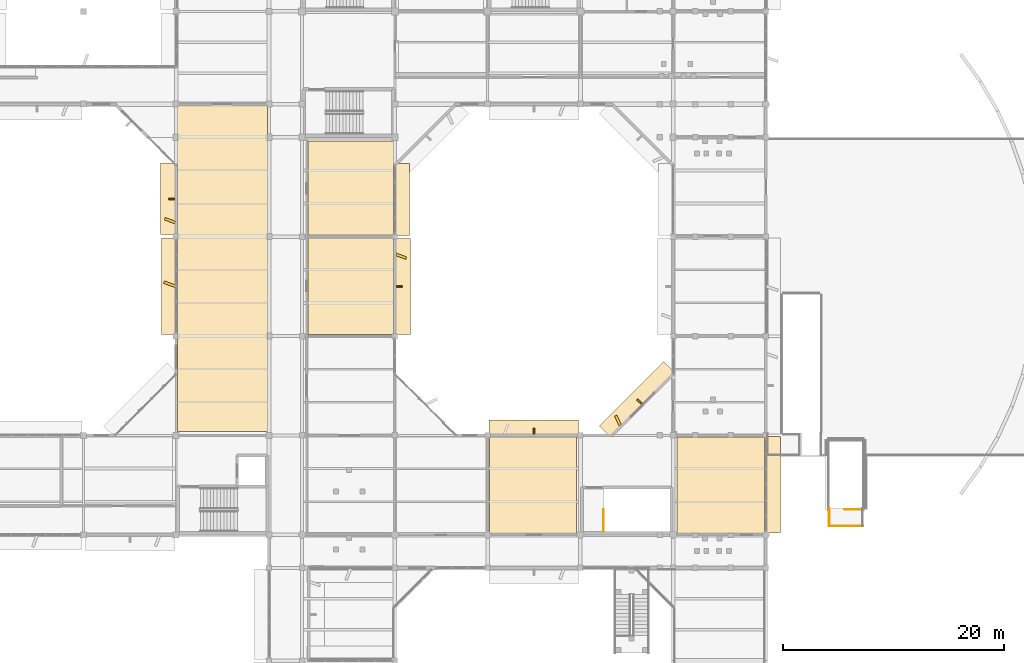
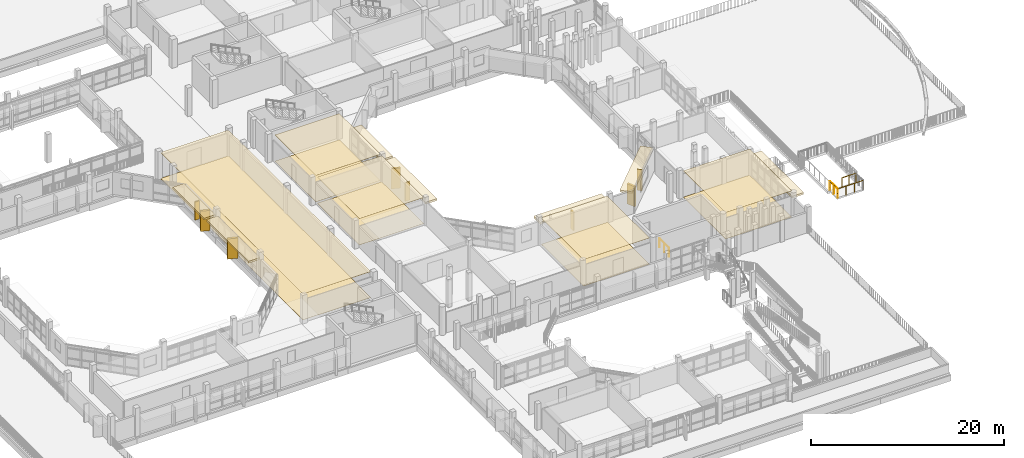
# One storey, part 77 of 92: 21 coverings, 4 railings, 4 shading devices.
"""IFC4 building model written with IfcOpenShell, lengths in metres."""

from ifc_helpers import new_model, si_unit, direction, frame, origin, origin_2d, place, context, subcontext, project, spatial, polyline, rectangle, circle, outline, extrude, material, layer, layer_set, type_object, element, save


model = new_model("IFC4")

# Units and contexts
model_context = context("Model", 3, precision=1e-05, world=origin(), true_north=direction((0.0, 1.0)))
body_context = subcontext(model_context, "Body", "Model", "MODEL_VIEW")
ifc_project = project(units=[si_unit("LENGTHUNIT", "METRE"), si_unit("AREAUNIT", "SQUARE_METRE"), si_unit("VOLUMEUNIT", "CUBIC_METRE"), si_unit("PLANEANGLEUNIT", "RADIAN"), si_unit("MASSUNIT", "GRAM", prefix="KILO")], contexts=[model_context])

# Site, building, storey
site_placement = place(None, origin())
site = spatial("IfcSite", under=ifc_project, at=site_placement, CompositionType="ELEMENT")
building_placement = place(site_placement, origin())
building = spatial("IfcBuilding", under=site, at=building_placement, Name="Vanh Quang Courtyard School", CompositionType="ELEMENT")
storey_placement = place(building_placement, frame((0.0, 0.0, 7.800048828125)))
storey = spatial("IfcBuildingStorey", under=building, at=storey_placement, Name="L02", CompositionType="ELEMENT", Elevation=7.800048828125)

# Coverings
ifc_material_1 = material(Name="Perforated mineral-fibre acoustic ceiling board")
ifc_layer_1 = layer(ifc_material_1, 0.02490234375)
ifc_layer_set_1 = layer_set([ifc_layer_1], Name="Perforated mineral-fibre acoustic ceiling board")
covering_type_1 = type_object("IfcCoveringType", Name="COV-CEIL-ACOUSTIC", PredefinedType="CEILING", material=ifc_layer_set_1)
covering_1_placement = place(storey_placement, frame((0.0, 0.0, 3.27490234375)))
element("IfcCovering", 1, at=covering_1_placement, inside=storey, type_object=covering_type_1, Name="Covering CV-CL1 (L02)", PredefinedType="CEILING", context=body_context, shape_type="SweptSolid", body=[
    extrude(outline(polyline([(66.1298828125, 71.260009765625), (66.1298828125, 71.260986328125), (66.130126953125, 71.261962890625), (66.13037109375, 71.262939453125), (66.130859375, 71.263916015625), (66.131103515625, 71.2646484375), (66.131591796875, 71.265625), (66.13232421875, 71.266357421875), (66.1328125, 71.26708984375), (66.1337890625, 71.267578125), (66.134521484375, 71.268310546875), (66.13525390625, 71.268798828125), (66.13623046875, 71.269287109375), (66.13720703125, 71.26953125), (66.137939453125, 71.269775390625), (66.138916015625, 71.27001953125), (66.139892578125, 71.27001953125), (74.239990234375, 71.27001953125), (74.240966796875, 71.27001953125), (74.241943359375, 71.269775390625), (74.242919921875, 71.26953125), (74.243896484375, 71.269287109375), (74.24462890625, 71.268798828125), (74.24560546875, 71.268310546875), (74.246337890625, 71.267578125), (74.2470703125, 71.26708984375), (74.247802734375, 71.266357421875), (74.248291015625, 71.265625), (74.248779296875, 71.2646484375), (74.249267578125, 71.263916015625), (74.24951171875, 71.262939453125), (74.249755859375, 71.261962890625), (74.25, 71.260986328125), (74.25, 71.260009765625), (74.25, 41.75), (66.1298828125, 41.75), (66.1298828125, 71.260009765625)])), origin(), (0.0, 0.0, 1.0), 0.025146484375),
])
covering_2_placement = place(storey_placement, frame((0.0, 0.0, 3.31494140625)))
element("IfcCovering", 2, at=covering_2_placement, inside=storey, type_object=covering_type_1, Name="Covering CV-CL1 (L02)", PredefinedType="CEILING", context=body_context, shape_type="SweptSolid", body=[
    extrude(outline(polyline([(77.9599609375, 50.550048828125), (77.958984375, 50.550048828125), (77.9580078125, 50.55029296875), (77.95703125, 50.55029296875), (77.956298828125, 50.55078125), (77.955322265625, 50.55126953125), (77.954345703125, 50.5517578125), (77.95361328125, 50.55224609375), (77.952880859375, 50.552978515625), (77.952392578125, 50.5537109375), (77.95166015625, 50.554443359375), (77.951171875, 50.555419921875), (77.95068359375, 50.55615234375), (77.950439453125, 50.55712890625), (77.9501953125, 50.55810546875), (77.949951171875, 50.55908203125), (77.949951171875, 50.56005859375), (77.949951171875, 59.260009765625), (77.949951171875, 59.260986328125), (77.9501953125, 59.261962890625), (77.950439453125, 59.262939453125), (77.95068359375, 59.263916015625), (77.951171875, 59.2646484375), (77.95166015625, 59.265625), (77.952392578125, 59.266357421875), (77.952880859375, 59.26708984375), (77.95361328125, 59.267578125), (77.954345703125, 59.268310546875), (77.955322265625, 59.268798828125), (77.956298828125, 59.269287109375), (77.95703125, 59.26953125), (77.9580078125, 59.269775390625), (77.958984375, 59.27001953125), (77.9599609375, 59.27001953125), (85.659912109375, 59.27001953125), (85.660888671875, 59.27001953125), (85.662109375, 59.269775390625), (85.662841796875, 59.26953125), (85.663818359375, 59.269287109375), (85.664794921875, 59.268798828125), (85.66552734375, 59.268310546875), (85.666259765625, 59.267578125), (85.6669921875, 59.26708984375), (85.667724609375, 59.266357421875), (85.668212890625, 59.265625), (85.668701171875, 59.2646484375), (85.669189453125, 59.263916015625), (85.669677734375, 59.262939453125), (85.669921875, 59.261962890625), (85.669921875, 59.260986328125), (85.669921875, 59.260009765625), (85.669921875, 50.56005859375), (85.669921875, 50.55908203125), (85.669921875, 50.55810546875), (85.669677734375, 50.55712890625), (85.669189453125, 50.55615234375), (85.668701171875, 50.555419921875), (85.668212890625, 50.554443359375), (85.667724609375, 50.5537109375), (85.6669921875, 50.552978515625), (85.666259765625, 50.55224609375), (85.66552734375, 50.5517578125), (85.664794921875, 50.55126953125), (85.663818359375, 50.55078125), (85.662841796875, 50.55029296875), (85.662109375, 50.55029296875), (85.660888671875, 50.550048828125), (85.659912109375, 50.550048828125), (77.9599609375, 50.550048828125)])), origin(), (0.0, 0.0, 1.0), 0.02490234375),
])
covering_3_placement = place(storey_placement, frame((0.0, 0.0, 3.31494140625)))
element("IfcCovering", 3, at=covering_3_placement, inside=storey, type_object=covering_type_1, Name="Covering CV-CL1 (L02)", PredefinedType="CEILING", context=body_context, shape_type="SweptSolid", body=[
    extrude(outline(polyline([(77.9599609375, 59.550048828125), (77.958984375, 59.550048828125), (77.9580078125, 59.55029296875), (77.95703125, 59.55029296875), (77.956298828125, 59.55078125), (77.955322265625, 59.55126953125), (77.954345703125, 59.5517578125), (77.95361328125, 59.55224609375), (77.952880859375, 59.552978515625), (77.952392578125, 59.5537109375), (77.95166015625, 59.554443359375), (77.951171875, 59.555419921875), (77.95068359375, 59.55615234375), (77.950439453125, 59.55712890625), (77.9501953125, 59.55810546875), (77.949951171875, 59.55908203125), (77.949951171875, 59.56005859375), (77.949951171875, 68.050048828125), (85.669921875, 68.050048828125), (85.669921875, 59.56005859375), (85.669921875, 59.55908203125), (85.669921875, 59.55810546875), (85.669677734375, 59.55712890625), (85.669189453125, 59.55615234375), (85.668701171875, 59.555419921875), (85.668212890625, 59.554443359375), (85.667724609375, 59.5537109375), (85.6669921875, 59.552978515625), (85.666259765625, 59.55224609375), (85.66552734375, 59.5517578125), (85.664794921875, 59.55126953125), (85.663818359375, 59.55078125), (85.662841796875, 59.55029296875), (85.662109375, 59.55029296875), (85.660888671875, 59.550048828125), (85.659912109375, 59.550048828125), (77.9599609375, 59.550048828125)])), origin(), (0.0, 0.0, 1.0), 0.02490234375),
])
covering_4_placement = place(storey_placement, frame((0.0, 0.0, 3.31494140625)))
element("IfcCovering", 4, at=covering_4_placement, inside=storey, type_object=covering_type_1, Name="Covering CV-CL1 (L02)", PredefinedType="CEILING", context=body_context, shape_type="SweptSolid", body=[
    extrude(outline(polyline([(94.360107421875, 32.530029296875), (94.35888671875, 32.530029296875), (94.35791015625, 32.5302734375), (94.357177734375, 32.530517578125), (94.356201171875, 32.53076171875), (94.355224609375, 32.53125), (94.3544921875, 32.53173828125), (94.353759765625, 32.5322265625), (94.352783203125, 32.532958984375), (94.352294921875, 32.53369140625), (94.351806640625, 32.534423828125), (94.351318359375, 32.535400390625), (94.350830078125, 32.5361328125), (94.350341796875, 32.537109375), (94.35009765625, 32.5380859375), (94.35009765625, 32.5390625), (94.35009765625, 32.5400390625), (94.35009765625, 41.260009765625), (94.35009765625, 41.260986328125), (94.35009765625, 41.261962890625), (94.350341796875, 41.262939453125), (94.350830078125, 41.263916015625), (94.351318359375, 41.2646484375), (94.351806640625, 41.265625), (94.352294921875, 41.266357421875), (94.352783203125, 41.26708984375), (94.353759765625, 41.267578125), (94.3544921875, 41.268310546875), (94.355224609375, 41.268798828125), (94.356201171875, 41.269287109375), (94.357177734375, 41.26953125), (94.35791015625, 41.269775390625), (94.35888671875, 41.27001953125), (94.360107421875, 41.27001953125), (102.25, 41.27001953125), (102.25, 32.530029296875), (94.360107421875, 32.530029296875)])), origin(), (0.0, 0.0, 1.0), 0.02490234375),
])
covering_5_placement = place(storey_placement, frame((0.0, 0.0, 3.31494140625)))
element("IfcCovering", 5, at=covering_5_placement, inside=storey, type_object=covering_type_1, Name="Covering CV-CL1 (L02)", PredefinedType="CEILING", context=body_context, shape_type="SweptSolid", body=[
    extrude(outline(polyline([(111.35009765625, 32.530029296875), (111.35009765625, 41.27001953125), (119.260009765625, 41.27001953125), (119.260986328125, 41.27001953125), (119.261962890625, 41.269775390625), (119.262939453125, 41.26953125), (119.263916015625, 41.269287109375), (119.2646484375, 41.268798828125), (119.265625, 41.268310546875), (119.266357421875, 41.267578125), (119.26708984375, 41.26708984375), (119.267578125, 41.266357421875), (119.268310546875, 41.265625), (119.268798828125, 41.2646484375), (119.269287109375, 41.263916015625), (119.26953125, 41.262939453125), (119.269775390625, 41.261962890625), (119.27001953125, 41.260986328125), (119.27001953125, 41.260009765625), (119.27001953125, 32.5400390625), (119.27001953125, 32.5390625), (119.269775390625, 32.5380859375), (119.26953125, 32.537109375), (119.269287109375, 32.5361328125), (119.268798828125, 32.535400390625), (119.268310546875, 32.534423828125), (119.267578125, 32.53369140625), (119.26708984375, 32.532958984375), (119.266357421875, 32.5322265625), (119.265625, 32.53173828125), (119.2646484375, 32.53125), (119.263916015625, 32.53076171875), (119.262939453125, 32.530517578125), (119.261962890625, 32.5302734375), (119.260986328125, 32.530029296875), (119.260009765625, 32.530029296875), (111.35009765625, 32.530029296875)])), origin(), (0.0, 0.0, 1.0), 0.02490234375),
])
ifc_material_2 = material(Name="Polished cementitious terrazzo tile", Category="concrete")
ifc_layer_2 = layer(ifc_material_2, 0.02001953125)
ifc_layer_set_2 = layer_set([ifc_layer_2], Name="Polished cementitious terrazzo tile")
covering_type_2 = type_object("IfcCoveringType", Name="COV-FLR-TERRAZZO", PredefinedType="FLOORING", material=ifc_layer_set_2)
covering_6_placement = place(storey_placement, origin())
element("IfcCovering", 6, at=covering_6_placement, inside=storey, type_object=covering_type_2, Name="Covering CV-FL1 (L02)", PredefinedType="FLOORING", context=body_context, shape_type="SweptSolid", body=[
    extrude(outline(polyline([(66.1298828125, 71.260009765625), (66.1298828125, 71.260986328125), (66.130126953125, 71.261962890625), (66.13037109375, 71.262939453125), (66.130859375, 71.263916015625), (66.131103515625, 71.2646484375), (66.131591796875, 71.265625), (66.13232421875, 71.266357421875), (66.1328125, 71.26708984375), (66.1337890625, 71.267578125), (66.134521484375, 71.268310546875), (66.13525390625, 71.268798828125), (66.13623046875, 71.269287109375), (66.13720703125, 71.26953125), (66.137939453125, 71.269775390625), (66.138916015625, 71.27001953125), (66.139892578125, 71.27001953125), (74.239990234375, 71.27001953125), (74.240966796875, 71.27001953125), (74.241943359375, 71.269775390625), (74.242919921875, 71.26953125), (74.243896484375, 71.269287109375), (74.24462890625, 71.268798828125), (74.24560546875, 71.268310546875), (74.246337890625, 71.267578125), (74.2470703125, 71.26708984375), (74.247802734375, 71.266357421875), (74.248291015625, 71.265625), (74.248779296875, 71.2646484375), (74.249267578125, 71.263916015625), (74.24951171875, 71.262939453125), (74.249755859375, 71.261962890625), (74.25, 71.260986328125), (74.25, 71.260009765625), (74.25, 41.75), (66.1298828125, 41.75), (66.1298828125, 71.260009765625)])), origin(), (0.0, 0.0, 1.0), 0.02001953125),
])
covering_7_placement = place(storey_placement, origin())
element("IfcCovering", 7, at=covering_7_placement, inside=storey, type_object=covering_type_2, Name="Covering CV-FL1 (L02)", PredefinedType="FLOORING", context=body_context, shape_type="SweptSolid", body=[
    extrude(outline(polyline([(77.9599609375, 50.550048828125), (77.958984375, 50.550048828125), (77.9580078125, 50.55029296875), (77.95703125, 50.55029296875), (77.956298828125, 50.55078125), (77.955322265625, 50.55126953125), (77.954345703125, 50.5517578125), (77.95361328125, 50.55224609375), (77.952880859375, 50.552978515625), (77.952392578125, 50.5537109375), (77.95166015625, 50.554443359375), (77.951171875, 50.555419921875), (77.95068359375, 50.55615234375), (77.950439453125, 50.55712890625), (77.9501953125, 50.55810546875), (77.949951171875, 50.55908203125), (77.949951171875, 50.56005859375), (77.949951171875, 59.260009765625), (77.949951171875, 59.260986328125), (77.9501953125, 59.261962890625), (77.950439453125, 59.262939453125), (77.95068359375, 59.263916015625), (77.951171875, 59.2646484375), (77.95166015625, 59.265625), (77.952392578125, 59.266357421875), (77.952880859375, 59.26708984375), (77.95361328125, 59.267578125), (77.954345703125, 59.268310546875), (77.955322265625, 59.268798828125), (77.956298828125, 59.269287109375), (77.95703125, 59.26953125), (77.9580078125, 59.269775390625), (77.958984375, 59.27001953125), (77.9599609375, 59.27001953125), (85.659912109375, 59.27001953125), (85.660888671875, 59.27001953125), (85.662109375, 59.269775390625), (85.662841796875, 59.26953125), (85.663818359375, 59.269287109375), (85.664794921875, 59.268798828125), (85.66552734375, 59.268310546875), (85.666259765625, 59.267578125), (85.6669921875, 59.26708984375), (85.667724609375, 59.266357421875), (85.668212890625, 59.265625), (85.668701171875, 59.2646484375), (85.669189453125, 59.263916015625), (85.669677734375, 59.262939453125), (85.669921875, 59.261962890625), (85.669921875, 59.260986328125), (85.669921875, 59.260009765625), (85.669921875, 50.56005859375), (85.669921875, 50.55908203125), (85.669921875, 50.55810546875), (85.669677734375, 50.55712890625), (85.669189453125, 50.55615234375), (85.668701171875, 50.555419921875), (85.668212890625, 50.554443359375), (85.667724609375, 50.5537109375), (85.6669921875, 50.552978515625), (85.666259765625, 50.55224609375), (85.66552734375, 50.5517578125), (85.664794921875, 50.55126953125), (85.663818359375, 50.55078125), (85.662841796875, 50.55029296875), (85.662109375, 50.55029296875), (85.660888671875, 50.550048828125), (85.659912109375, 50.550048828125), (77.9599609375, 50.550048828125)])), origin(), (0.0, 0.0, 1.0), 0.02001953125),
])
covering_8_placement = place(storey_placement, origin())
element("IfcCovering", 8, at=covering_8_placement, inside=storey, type_object=covering_type_2, Name="Covering CV-FL1 (L02)", PredefinedType="FLOORING", context=body_context, shape_type="SweptSolid", body=[
    extrude(outline(polyline([(77.9599609375, 59.550048828125), (77.958984375, 59.550048828125), (77.9580078125, 59.55029296875), (77.95703125, 59.55029296875), (77.956298828125, 59.55078125), (77.955322265625, 59.55126953125), (77.954345703125, 59.5517578125), (77.95361328125, 59.55224609375), (77.952880859375, 59.552978515625), (77.952392578125, 59.5537109375), (77.95166015625, 59.554443359375), (77.951171875, 59.555419921875), (77.95068359375, 59.55615234375), (77.950439453125, 59.55712890625), (77.9501953125, 59.55810546875), (77.949951171875, 59.55908203125), (77.949951171875, 59.56005859375), (77.949951171875, 68.050048828125), (85.669921875, 68.050048828125), (85.669921875, 59.56005859375), (85.669921875, 59.55908203125), (85.669921875, 59.55810546875), (85.669677734375, 59.55712890625), (85.669189453125, 59.55615234375), (85.668701171875, 59.555419921875), (85.668212890625, 59.554443359375), (85.667724609375, 59.5537109375), (85.6669921875, 59.552978515625), (85.666259765625, 59.55224609375), (85.66552734375, 59.5517578125), (85.664794921875, 59.55126953125), (85.663818359375, 59.55078125), (85.662841796875, 59.55029296875), (85.662109375, 59.55029296875), (85.660888671875, 59.550048828125), (85.659912109375, 59.550048828125), (77.9599609375, 59.550048828125)])), origin(), (0.0, 0.0, 1.0), 0.02001953125),
])
covering_9_placement = place(storey_placement, origin())
element("IfcCovering", 9, at=covering_9_placement, inside=storey, type_object=covering_type_2, Name="Covering CV-FL1 (L02)", PredefinedType="FLOORING", context=body_context, shape_type="SweptSolid", body=[
    extrude(outline(polyline([(94.360107421875, 32.530029296875), (94.35888671875, 32.530029296875), (94.35791015625, 32.5302734375), (94.357177734375, 32.530517578125), (94.356201171875, 32.53076171875), (94.355224609375, 32.53125), (94.3544921875, 32.53173828125), (94.353759765625, 32.5322265625), (94.352783203125, 32.532958984375), (94.352294921875, 32.53369140625), (94.351806640625, 32.534423828125), (94.351318359375, 32.535400390625), (94.350830078125, 32.5361328125), (94.350341796875, 32.537109375), (94.35009765625, 32.5380859375), (94.35009765625, 32.5390625), (94.35009765625, 32.5400390625), (94.35009765625, 41.260009765625), (94.35009765625, 41.260986328125), (94.35009765625, 41.261962890625), (94.350341796875, 41.262939453125), (94.350830078125, 41.263916015625), (94.351318359375, 41.2646484375), (94.351806640625, 41.265625), (94.352294921875, 41.266357421875), (94.352783203125, 41.26708984375), (94.353759765625, 41.267578125), (94.3544921875, 41.268310546875), (94.355224609375, 41.268798828125), (94.356201171875, 41.269287109375), (94.357177734375, 41.26953125), (94.35791015625, 41.269775390625), (94.35888671875, 41.27001953125), (94.360107421875, 41.27001953125), (102.25, 41.27001953125), (102.25, 32.530029296875), (94.360107421875, 32.530029296875)])), origin(), (0.0, 0.0, 1.0), 0.02001953125),
])
covering_10_placement = place(storey_placement, origin())
element("IfcCovering", 10, at=covering_10_placement, inside=storey, type_object=covering_type_2, Name="Covering CV-FL1 (L02)", PredefinedType="FLOORING", context=body_context, shape_type="SweptSolid", body=[
    extrude(outline(polyline([(111.35009765625, 32.530029296875), (111.35009765625, 41.27001953125), (119.260009765625, 41.27001953125), (119.260986328125, 41.27001953125), (119.261962890625, 41.269775390625), (119.262939453125, 41.26953125), (119.263916015625, 41.269287109375), (119.2646484375, 41.268798828125), (119.265625, 41.268310546875), (119.266357421875, 41.267578125), (119.26708984375, 41.26708984375), (119.267578125, 41.266357421875), (119.268310546875, 41.265625), (119.268798828125, 41.2646484375), (119.269287109375, 41.263916015625), (119.26953125, 41.262939453125), (119.269775390625, 41.261962890625), (119.27001953125, 41.260986328125), (119.27001953125, 41.260009765625), (119.27001953125, 32.5400390625), (119.27001953125, 32.5390625), (119.269775390625, 32.5380859375), (119.26953125, 32.537109375), (119.269287109375, 32.5361328125), (119.268798828125, 32.535400390625), (119.268310546875, 32.534423828125), (119.267578125, 32.53369140625), (119.26708984375, 32.532958984375), (119.266357421875, 32.5322265625), (119.265625, 32.53173828125), (119.2646484375, 32.53125), (119.263916015625, 32.53076171875), (119.262939453125, 32.530517578125), (119.261962890625, 32.5302734375), (119.260986328125, 32.530029296875), (119.260009765625, 32.530029296875), (111.35009765625, 32.530029296875)])), origin(), (0.0, 0.0, 1.0), 0.02001953125),
])
ifc_material_3 = material(Name="Board-marked precast concrete C40/50", Category="concrete")
ifc_layer_3 = layer(ifc_material_3, 0.239990234375)
ifc_layer_set_3 = layer_set([ifc_layer_3], Name="Board-marked precast concrete C40/50")
covering_type_3 = type_object("IfcCoveringType", Name="COV-HOOD-CONC", PredefinedType="CLADDING", material=ifc_layer_set_3)
covering_11_placement = place(storey_placement, frame((120.02001953125, 36.9375, 2.33984375), z_axis=(0.0, 0.0, 1.0), x_axis=(0.0, -1.0, 0.0)))
element("IfcCovering", 11, at=covering_11_placement, inside=storey, type_object=covering_type_3, Name="Covering CH-01 (L02)", PredefinedType="CLADDING", context=body_context, shape_type="SweptSolid", body=[
    extrude(rectangle(XDim=8.708984375, YDim=1.39990234375, at=origin_2d()), origin(), (0.0, 0.0, 1.0), 0.239990234375),
])
covering_12_placement = place(storey_placement, frame((65.3798828125, 54.89990234375, 2.35986328125), z_axis=(0.0, 0.0, 1.0), x_axis=(0.0, 1.0, 0.0)))
element("IfcCovering", 12, at=covering_12_placement, inside=storey, type_object=covering_type_3, Name="Covering CH-01 (L02)", PredefinedType="CLADDING", context=body_context, shape_type="SweptSolid", body=[
    extrude(rectangle(XDim=8.73388671875, YDim=1.39990234375, at=origin_2d()), origin(), (0.0, 0.0, 1.0), 0.239990234375),
])
covering_13_placement = place(storey_placement, frame((65.4150390625, 55.090087890625, 0.0), z_axis=(0.0, 0.0, 1.0), x_axis=(-0.94028812701, 0.340379550213, 0.0)))
element("IfcCovering", 13, at=covering_13_placement, inside=storey, type_object=covering_type_3, Name="Covering CH-01 (L02)", PredefinedType="CLADDING", context=body_context, shape_type="SweptSolid", body=[
    extrude(rectangle(XDim=1.11669921875, YDim=0.239990234375, at=origin_2d()), origin(), (0.0, 0.0, 1.0), 2.56005859375),
])
covering_14_placement = place(storey_placement, frame((65.260009765625, 62.824462890625, 2.35986328125), z_axis=(0.0, 0.0, 1.0), x_axis=(0.0, 1.0, 0.0)))
element("IfcCovering", 14, at=covering_14_placement, inside=storey, type_object=covering_type_3, Name="Covering CH-01 (L02)", PredefinedType="CLADDING", context=body_context, shape_type="SweptSolid", body=[
    extrude(rectangle(XDim=6.5029296875, YDim=1.35009765625, at=origin_2d()), origin(), (0.0, 0.0, 1.0), 0.239990234375),
])
covering_15_placement = place(storey_placement, frame((65.429931640625, 60.8515625, 0.0), z_axis=(0.0, 0.0, 1.0), x_axis=(-0.938009980858, 0.346608245445, 0.0)))
element("IfcCovering", 15, at=covering_15_placement, inside=storey, type_object=covering_type_3, Name="Covering CH-01 (L02)", PredefinedType="CLADDING", context=body_context, shape_type="SweptSolid", body=[
    extrude(rectangle(XDim=0.980712890625, YDim=0.239990234375, at=origin_2d()), origin(), (0.0, 0.0, 1.0), 2.56005859375),
])
covering_16_placement = place(storey_placement, frame((98.39990234375, 42.139892578125, 2.39990234375), z_axis=(0.0, 0.0, 1.0), x_axis=(1.0, 0.0, 0.0)))
element("IfcCovering", 16, at=covering_16_placement, inside=storey, type_object=covering_type_3, Name="Covering CH-01 (L02)", PredefinedType="CLADDING", context=body_context, shape_type="SweptSolid", body=[
    extrude(rectangle(XDim=8.10400390625, YDim=1.35009765625, at=origin_2d()), origin(), (0.0, 0.0, 1.0), 0.239990234375),
])
covering_17_placement = place(storey_placement, frame((107.70458984375, 44.6953125, 2.5400390625), z_axis=(0.0, 0.0, 1.0), x_axis=(0.707106781187, 0.707106781187, 0.0)))
element("IfcCovering", 17, at=covering_17_placement, inside=storey, type_object=covering_type_3, Name="Covering CH-01 (L02)", PredefinedType="CLADDING", context=body_context, shape_type="SweptSolid", body=[
    extrude(rectangle(XDim=8.280517578125, YDim=1.35009765625, at=origin_2d()), origin(), (0.0, 0.0, 1.0), 0.239990234375),
])
covering_18_placement = place(storey_placement, frame((106.00244140625, 42.752685546875, 0.0), z_axis=(0.0, 0.0, 1.0), x_axis=(-0.418184177516, 0.908362259055, 0.0)))
element("IfcCovering", 18, at=covering_18_placement, inside=storey, type_object=covering_type_3, Name="Covering CH-01 (L02)", PredefinedType="CLADDING", context=body_context, shape_type="SweptSolid", body=[
    extrude(rectangle(XDim=0.980712890625, YDim=0.239990234375, at=origin_2d()), origin(), (0.0, 0.0, 1.0), 2.56005859375),
])
covering_19_placement = place(storey_placement, frame((86.419921875, 62.757080078125, 2.39990234375), z_axis=(0.0, 0.0, 1.0), x_axis=(0.0, -1.0, 0.0)))
element("IfcCovering", 19, at=covering_19_placement, inside=storey, type_object=covering_type_3, Name="Covering CH-01 (L02)", PredefinedType="CLADDING", context=body_context, shape_type="SweptSolid", body=[
    extrude(rectangle(XDim=6.498046875, YDim=1.39990234375, at=origin_2d()), origin(), (0.0, 0.0, 1.0), 0.239990234375),
])
covering_20_placement = place(storey_placement, frame((86.5400390625, 54.89990234375, 2.39990234375), z_axis=(0.0, 0.0, 1.0), x_axis=(0.0, -1.0, 0.0)))
element("IfcCovering", 20, at=covering_20_placement, inside=storey, type_object=covering_type_3, Name="Covering CH-01 (L02)", PredefinedType="CLADDING", context=body_context, shape_type="SweptSolid", body=[
    extrude(rectangle(XDim=8.7041015625, YDim=1.35009765625, at=origin_2d()), origin(), (0.0, 0.0, 1.0), 0.239990234375),
])
covering_21_placement = place(storey_placement, frame((86.3701171875, 57.621337890625, 0.0), z_axis=(0.0, 0.0, 1.0), x_axis=(0.938009980858, -0.346608245445, 0.0)))
element("IfcCovering", 21, at=covering_21_placement, inside=storey, type_object=covering_type_3, Name="Covering CH-01 (L02)", PredefinedType="CLADDING", context=body_context, shape_type="SweptSolid", body=[
    extrude(rectangle(XDim=0.980712890625, YDim=0.239990234375, at=origin_2d()), origin(), (0.0, 0.0, 1.0), 2.56005859375),
])

# Railings
ifc_material_4 = material(Name="Galvanised painted steel EN 10025-2 S355J2", Category="steel")
railing_type = type_object("IfcRailingType", Name="RAIL-GUARD-1150", PredefinedType="BALUSTRADE", material=ifc_material_4)
railing_1_placement = place(storey_placement, frame((104.679931640625, 32.679931640625, 0.0)))
element("IfcRailing", 22, at=railing_1_placement, inside=storey, type_object=railing_type, Name="L02 ST-08 top well guard 1", PredefinedType="BALUSTRADE", context=body_context, shape_type="SweptSolid", body=[
    extrude(circle(Radius=0.02392578125, at=origin_2d()), frame((0.0, 0.0, 1.1259765625), z_axis=(0.0, 1.0, 0.0), x_axis=(-1.0, 0.0, 0.0)), (0.0, 0.0, 1.0), 2.010009765625),
    extrude(circle(Radius=0.02099609375, at=origin_2d()), origin(), (0.0, 0.0, 1.0), 1.101806640625),
    extrude(circle(Radius=0.02099609375, at=origin_2d()), frame((0.0, 1.0048828125, 0.0)), (0.0, 0.0, 1.0), 1.101806640625),
    extrude(circle(Radius=0.02099609375, at=origin_2d()), frame((0.0, 2.010009765625, 0.0)), (0.0, 0.0, 1.0), 1.101806640625),
])
railing_2_placement = place(storey_placement, frame((128.2119140625, 34.699951171875, 0.0)))
element("IfcRailing", 23, at=railing_2_placement, inside=storey, type_object=railing_type, Name="L02 ST-T2 top well guard 1", PredefinedType="BALUSTRADE", context=body_context, shape_type="SweptSolid", body=[
    extrude(circle(Radius=0.02392578125, at=origin_2d()), frame((0.0, 0.0, 1.1259765625), z_axis=(-1.0, 0.0, 0.0), x_axis=(0.0, -1.0, 0.0)), (0.0, 0.0, 1.0), 1.673828125),
    extrude(circle(Radius=0.02099609375, at=origin_2d()), origin(), (0.0, 0.0, 1.0), 1.101806640625),
    extrude(circle(Radius=0.02099609375, at=origin_2d()), frame((-0.8369140625, 0.0, 0.0)), (0.0, 0.0, 1.0), 1.101806640625),
    extrude(circle(Radius=0.02099609375, at=origin_2d()), frame((-1.673828125, 0.0, 0.0)), (0.0, 0.0, 1.0), 1.101806640625),
])
railing_3_placement = place(storey_placement, frame((125.14990234375, 33.18798828125, 0.0)))
element("IfcRailing", 24, at=railing_3_placement, inside=storey, type_object=railing_type, Name="L02 ST-T2 top well guard 6", PredefinedType="BALUSTRADE", context=body_context, shape_type="SweptSolid", body=[
    extrude(circle(Radius=0.02392578125, at=origin_2d()), frame((0.0, 0.0, 1.1259765625), z_axis=(0.0, 1.0, 0.0), x_axis=(-1.0, 0.0, 0.0)), (0.0, 0.0, 1.0), 1.573974609375),
    extrude(circle(Radius=0.02099609375, at=origin_2d()), origin(), (0.0, 0.0, 1.0), 1.101806640625),
    extrude(circle(Radius=0.02099609375, at=origin_2d()), frame((0.0, 0.787109375, 0.0)), (0.0, 0.0, 1.0), 1.101806640625),
    extrude(circle(Radius=0.02099609375, at=origin_2d()), frame((0.0, 1.573974609375, 0.0)), (0.0, 0.0, 1.0), 1.101806640625),
])
railing_4_placement = place(storey_placement, frame((128.199951171875, 33.199951171875, 0.0)))
element("IfcRailing", 25, at=railing_4_placement, inside=storey, type_object=railing_type, Name="Railing GR-01 (L02)", PredefinedType="BALUSTRADE", context=body_context, shape_type="SweptSolid", body=[
    extrude(circle(Radius=0.02392578125, at=origin_2d()), frame((0.0, 0.0, 1.1259765625), z_axis=(-1.0, 0.0, 0.0), x_axis=(0.0, -1.0, 0.0)), (0.0, 0.0, 1.0), 3.099853515625),
    extrude(circle(Radius=0.02392578125, at=origin_2d()), frame((-3.099853515625, 0.0, 1.1259765625), z_axis=(0.0, 1.0, 0.0), x_axis=(-1.0, 0.0, 0.0)), (0.0, 0.0, 1.0), 1.580078125),
    extrude(circle(Radius=0.02099609375, at=origin_2d()), origin(), (0.0, 0.0, 1.0), 1.101806640625),
    extrude(circle(Radius=0.02099609375, at=origin_2d()), frame((-1.033203125, 0.0, 0.0)), (0.0, 0.0, 1.0), 1.101806640625),
    extrude(circle(Radius=0.02099609375, at=origin_2d()), frame((-2.066650390625, 0.0, 0.0)), (0.0, 0.0, 1.0), 1.101806640625),
    extrude(circle(Radius=0.02099609375, at=origin_2d()), frame((-3.099853515625, 0.0, 0.0)), (0.0, 0.0, 1.0), 1.101806640625),
    extrude(circle(Radius=0.02099609375, at=origin_2d()), frame((-3.099853515625, 0.7900390625, 0.0)), (0.0, 0.0, 1.0), 1.101806640625),
    extrude(circle(Radius=0.02099609375, at=origin_2d()), frame((-3.099853515625, 1.580078125, 0.0)), (0.0, 0.0, 1.0), 1.101806640625),
])

# Shading devices
shading_device_type = type_object("IfcShadingDeviceType", Name="SHD-FIN-CONCRETE", PredefinedType="USERDEFINED", material=ifc_material_3)
shading_device_1_placement = place(storey_placement, frame((65.60498046875, 62.824462890625, 0.14990234375), z_axis=(0.0, 0.0, 1.0), x_axis=(0.0, 1.0, 0.0)))
element("IfcShadingDevice", 26, at=shading_device_1_placement, inside=storey, type_object=shading_device_type, Name="Solar Shading SH-02 (L02)", ObjectType="Solar Shading SH-02 (L02)", PredefinedType="USERDEFINED", context=body_context, shape_type="SweptSolid", body=[
    extrude(rectangle(XDim=0.139892578125, YDim=0.550048828125, at=origin_2d()), origin(), (0.0, 0.0, 1.0), 2.300048828125),
])
shading_device_2_placement = place(storey_placement, frame((98.39990234375, 41.794921875, 0.14990234375), z_axis=(0.0, 0.0, 1.0), x_axis=(1.0, 0.0, 0.0)))
element("IfcShadingDevice", 27, at=shading_device_2_placement, inside=storey, type_object=shading_device_type, Name="Solar Shading SH-02 (L02)", ObjectType="Solar Shading SH-02 (L02)", PredefinedType="USERDEFINED", context=body_context, shape_type="SweptSolid", body=[
    extrude(rectangle(XDim=0.139892578125, YDim=0.550048828125, at=origin_2d()), origin(), (0.0, 0.0, 1.0), 2.340087890625),
])
shading_device_3_placement = place(storey_placement, frame((107.94873046875, 44.451416015625, 0.14990234375), z_axis=(0.0, 0.0, 1.0), x_axis=(0.707106781187, 0.707106781187, 0.0)))
element("IfcShadingDevice", 28, at=shading_device_3_placement, inside=storey, type_object=shading_device_type, Name="Solar Shading SH-02 (L02)", ObjectType="Solar Shading SH-02 (L02)", PredefinedType="USERDEFINED", context=body_context, shape_type="SweptSolid", body=[
    extrude(rectangle(XDim=0.139892578125, YDim=0.550048828125, at=origin_2d()), origin(), (0.0, 0.0, 1.0), 2.639892578125),
])
shading_device_4_placement = place(storey_placement, frame((86.195068359375, 54.89990234375, 0.14990234375), z_axis=(0.0, 0.0, 1.0), x_axis=(0.0, -1.0, 0.0)))
element("IfcShadingDevice", 29, at=shading_device_4_placement, inside=storey, type_object=shading_device_type, Name="Solar Shading SH-02 (L02)", ObjectType="Solar Shading SH-02 (L02)", PredefinedType="USERDEFINED", context=body_context, shape_type="SweptSolid", body=[
    extrude(rectangle(XDim=0.139892578125, YDim=0.550048828125, at=origin_2d()), origin(), (0.0, 0.0, 1.0), 2.340087890625),
])

save(model, "model.ifc")
